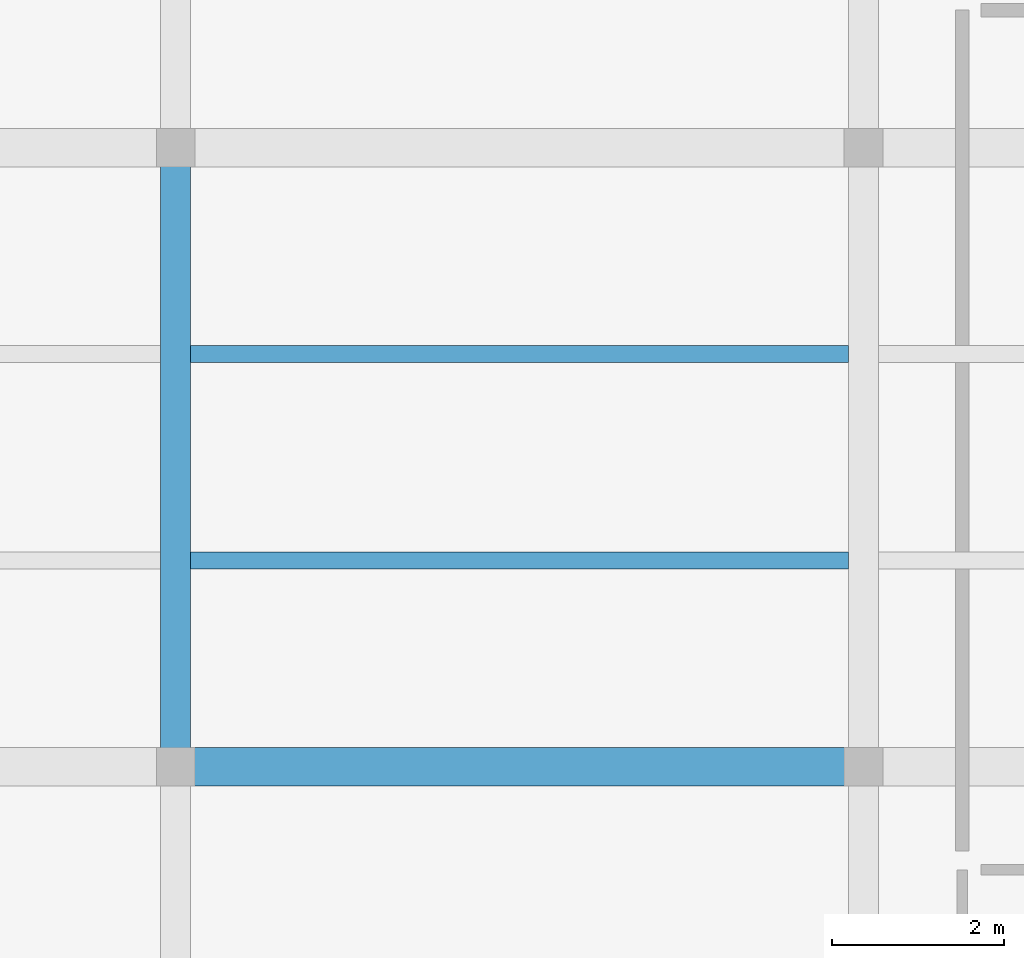
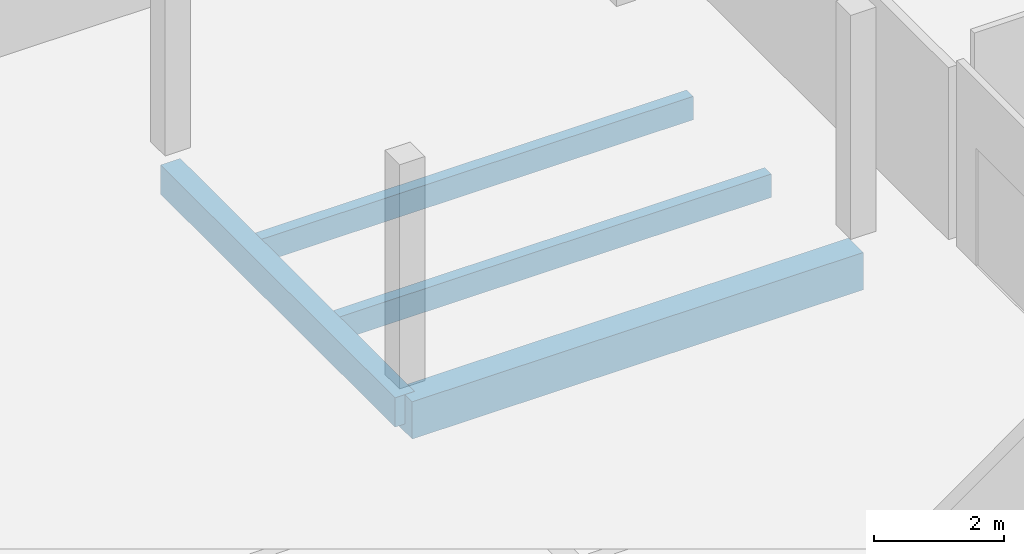
# One storey, part 67 of 182: 4 beams.
"""IFC4 building model written with IfcOpenShell, lengths in metres."""

from ifc_helpers import new_model, si_unit, direction, frame, origin, origin_2d, place, context, subcontext, project, spatial, rectangle, extrude, material, material_profile, profile_set, type_object, element, save


model = new_model("IFC4")

# Units and contexts
model_context = context("Model", 3, precision=1e-05, world=origin(), true_north=direction((0.0, 1.0)))
body_context = subcontext(model_context, "Body", "Model", "MODEL_VIEW")
ifc_project = project(units=[si_unit("LENGTHUNIT", "METRE"), si_unit("AREAUNIT", "SQUARE_METRE"), si_unit("VOLUMEUNIT", "CUBIC_METRE"), si_unit("PLANEANGLEUNIT", "RADIAN"), si_unit("MASSUNIT", "GRAM", prefix="KILO")], contexts=[model_context])

# Site, building, storey
site_placement = place(None, origin())
site = spatial("IfcSite", under=ifc_project, at=site_placement, CompositionType="ELEMENT")
building_placement = place(site_placement, origin())
building = spatial("IfcBuilding", under=site, at=building_placement, Name="Chiffa Square Polytechnic", CompositionType="ELEMENT")
storey_placement = place(building_placement, frame((0.0, 0.0, 9.60009765625)))
storey = spatial("IfcBuildingStorey", under=building, at=storey_placement, Name="L02", CompositionType="ELEMENT", Elevation=9.60009765625)

# Beams
ifc_material_1 = material(Name="Concrete C35/45", Category="concrete")
ifc_material_profile_1 = material_profile(ifc_material_1, rectangle(XDim=0.35009765625, YDim=0.550048828125, at=origin_2d()), Name="RC 350x550")
ifc_profile_set_1 = profile_set([ifc_material_profile_1], Name="Concrete C35/45")
beam_type_1 = type_object("IfcBeamType", Name="BM-RC-350X550", PredefinedType="BEAM", material=ifc_profile_set_1)
beam_1_placement = place(storey_placement, frame((8.0, 65.39990234375, -0.59521484375), z_axis=(0.0, 1.0, 0.0), x_axis=(-1.0, 0.0, 0.0)))
element("IfcBeam", 1, at=beam_1_placement, inside=storey, type_object=beam_type_1, Name="Primary floor girder BM-V6-L02-Y-0080-0654", PredefinedType="BEAM", context=body_context, shape_type="SweptSolid", body=[
    extrude(rectangle(XDim=0.35009765625, YDim=0.550048828125, at=origin_2d()), origin(), (0.0, 0.0, 1.0), 7.2001953125),
])
ifc_material_profile_2 = material_profile(ifc_material_1, rectangle(XDim=0.449951171875, YDim=0.699951171875, at=origin_2d()), Name="RC 450x700")
ifc_profile_set_2 = profile_set([ifc_material_profile_2], Name="Concrete C35/45")
beam_type_2 = type_object("IfcBeamType", Name="BM-RC-450X700", PredefinedType="BEAM", material=ifc_profile_set_2)
beam_2_placement = place(storey_placement, frame((8.0, 65.39990234375, -0.670166015625), z_axis=(1.0, 0.0, 0.0), x_axis=(0.0, 1.0, 0.0)))
element("IfcBeam", 2, at=beam_2_placement, inside=storey, type_object=beam_type_2, Name="Primary floor girder BM-V6-L02-X-0080-0654", PredefinedType="BEAM", context=body_context, shape_type="SweptSolid", body=[
    extrude(rectangle(XDim=0.449951171875, YDim=0.699951171875, at=origin_2d()), origin(), (0.0, 0.0, 1.0), 8.0),
])
ifc_material_2 = material(Name="Glulam GL28h", Category="wood")
ifc_material_profile_3 = material_profile(ifc_material_2, rectangle(XDim=0.199951171875, YDim=0.43994140625, at=origin_2d()), Name="GL28h 200x440")
ifc_profile_set_3 = profile_set([ifc_material_profile_3], Name="Glulam GL28h")
beam_type_3 = type_object("IfcBeamType", Name="JST-GL-200X440", PredefinedType="JOIST", material=ifc_profile_set_3)
for number, where, z_axis, x_axis, name in (
    (3, (8.173095703125, 67.800048828125, -0.5400390625), (1.0, 0.0, 0.0), (0.0, 1.0, 0.0), "Secondary floor joist JST-V6-L02-0080-0678"),
    (4, (8.173095703125, 70.199951171875, -0.5400390625), (1.0, 0.0, 0.0), (0.0, 1.0, 0.0), "Secondary floor joist JST-V6-L02-0080-0702"),
):
    element("IfcBeam", number, at=place(storey_placement, frame(where, z_axis=z_axis, x_axis=x_axis)), inside=storey, type_object=beam_type_3, Name=name, PredefinedType="JOIST", context=body_context, shape_type="SweptSolid", body=[
        extrude(rectangle(XDim=0.199951171875, YDim=0.43994140625, at=origin_2d()), origin(), (0.0, 0.0, 1.0), 7.65380859375),
    ])

save(model, "model.ifc")
